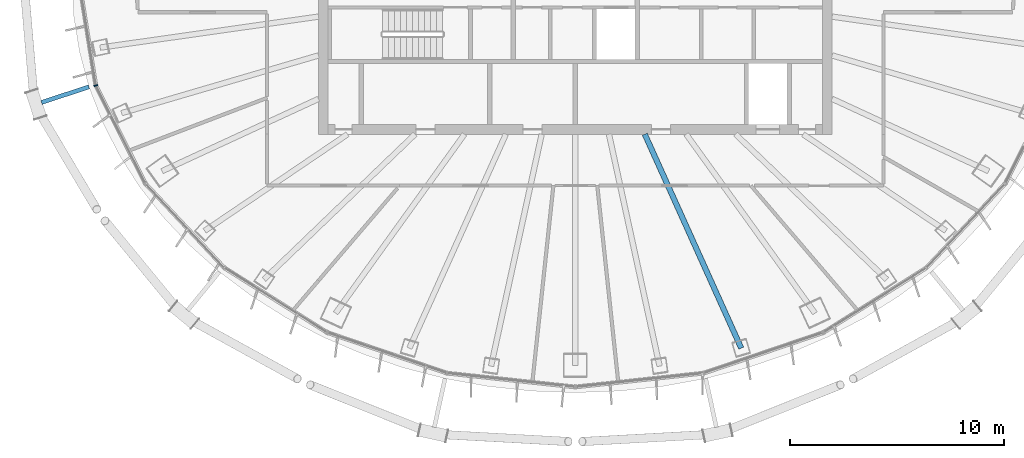
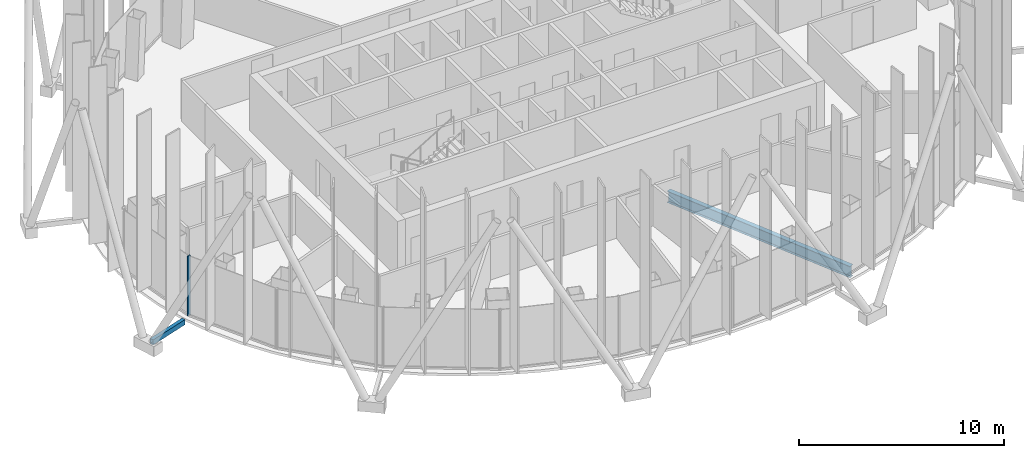
# One storey, part 3 of 19: 2 members, 1 beam, 1 element without a shape of its own.
"""IFC4 building model written with IfcOpenShell, lengths in metres."""

from ifc_helpers import new_model, si_unit, direction, frame, origin, origin_2d, place, context, subcontext, project, spatial, rectangle, hollow_rectangle, i_section, extrude, material, layer, layer_set, material_profile, profile_set, type_object, element, aggregate, save


model = new_model("IFC4")

# Units and contexts
model_context = context("Model", 3, precision=1e-05, world=origin(), true_north=direction((0.0, 1.0)))
body_context = subcontext(model_context, "Body", "Model", "MODEL_VIEW")
ifc_project = project(units=[si_unit("LENGTHUNIT", "METRE"), si_unit("AREAUNIT", "SQUARE_METRE"), si_unit("VOLUMEUNIT", "CUBIC_METRE"), si_unit("PLANEANGLEUNIT", "RADIAN"), si_unit("MASSUNIT", "GRAM", prefix="KILO")], contexts=[model_context])

# Site, building, storey
site_placement = place(None, origin())
site = spatial("IfcSite", under=ifc_project, at=site_placement, CompositionType="ELEMENT")
building_placement = place(site_placement, origin())
building = spatial("IfcBuilding", under=site, at=building_placement, Name="Siaravel Broadcast Tower", CompositionType="ELEMENT")
storey_placement = place(building_placement, frame((0.0, 0.0, 179.300048828125)))
storey = spatial("IfcBuildingStorey", under=building, at=storey_placement, Name="L43", CompositionType="ELEMENT", Elevation=179.300048828125)

# Beam
ifc_material_1 = material(Name="Steel S355", Category="steel")
ifc_material_profile_1 = material_profile(ifc_material_1, i_section(OverallWidth=0.2529296875, OverallDepth=0.677978515625, WebThickness=0.01171875, FlangeThickness=0.01611328125, FilletRadius=0.01513671875, at=origin_2d()))
ifc_profile_set_1 = profile_set([ifc_material_profile_1], Name="Steel S355")
beam_type = type_object("IfcBeamType", Name="BM-UB 686x254x125", PredefinedType="BEAM", material=ifc_profile_set_1)
beam_placement = place(storey_placement, frame((7.7529296875, -17.19580078125, -0.489013671875), z_axis=(-0.411024671, 0.911624221, 0.0), x_axis=(-0.911624221, -0.411024671, 0.0)))
element("IfcBeam", 1, at=beam_placement, inside=storey, type_object=beam_type, Name="Radial beam RB30", PredefinedType="BEAM", context=body_context, shape_type="SweptSolid", body=[
    extrude(i_section(OverallWidth=0.2529296875, OverallDepth=0.677978515625, WebThickness=0.01171875, FlangeThickness=0.01611328125, FilletRadius=0.01513671875, at=origin_2d()), origin(), (0.0, 0.0, 1.0), 10.96484375),
])

# Curtain wall, member
ifc_material_2 = material(Name="Aluminium 6063-T6", Category="aluminium")
ifc_layer = layer(ifc_material_2, 0.179931640625)
ifc_layer_set = layer_set([ifc_layer], Name="Aluminium 6063-T6")
curtain_wall_type = type_object("IfcCurtainWallType", Name="Unitised curtain wall, zone 3", PredefinedType="NOTDEFINED", material=ifc_layer_set)
curtain_wall_placement = place(storey_placement, origin())
curtain_wall = element("IfcCurtainWall", 2, at=curtain_wall_placement, inside=storey, type_object=curtain_wall_type, Name="L43 Unitised curtain wall, zone 3 07", PredefinedType="NOTDEFINED")
ifc_material_profile_2 = material_profile(ifc_material_2, rectangle(XDim=0.179931640625, YDim=0.06005859375, at=origin_2d()))
ifc_profile_set_2 = profile_set([ifc_material_profile_2], Name="Aluminium 6063-T6")
member_type_1 = type_object("IfcMemberType", Name="CW-Z3 mullion", PredefinedType="MULLION", material=ifc_profile_set_2)
member_1_placement = place(storey_placement, frame((-22.4033203125, -4.922119140625, 0.0), z_axis=(0.0, 0.0, 1.0), x_axis=(0.95117718, 0.308645383, 0.0)))
member_1 = element("IfcMember", 3, at=member_1_placement, type_object=member_type_1, Name="CW-Z3 mullion 2", PredefinedType="MULLION", context=body_context, shape_type="SweptSolid", body=[
    extrude(rectangle(XDim=0.179931640625, YDim=0.06005859375, at=origin_2d()), origin(), (0.0, 0.0, 1.0), 3.550048828125),
])
aggregate(curtain_wall, [member_1])

# Member
ifc_material_3 = material(Name="Steel S460", Category="steel")
ifc_material_profile_3 = material_profile(ifc_material_3, hollow_rectangle(XDim=0.199951171875, YDim=0.300048828125, WallThickness=0.012451171875, at=origin_2d()))
ifc_profile_set_3 = profile_set([ifc_material_profile_3], Name="Steel S460")
member_type_2 = type_object("IfcMemberType", Name="Diagrid node arm RHS 300x200x12.5", PredefinedType="STRUT", material=ifc_profile_set_3)
member_2_placement = place(storey_placement, frame((-22.72705078125, -4.988037109375, -0.199951171875), z_axis=(-0.950439361, -0.310909987, 0.0), x_axis=(0.310909987, -0.950439361, 0.0)))
element("IfcMember", 4, at=member_2_placement, inside=storey, type_object=member_type_2, Name="Node arm R18 station 39", PredefinedType="STRUT", context=body_context, shape_type="SweptSolid", body=[
    extrude(hollow_rectangle(XDim=0.199951171875, YDim=0.300048828125, WallThickness=0.012451171875, at=origin_2d()), origin(), (0.0, 0.0, 1.0), 2.329833984375),
])

save(model, "model.ifc")
